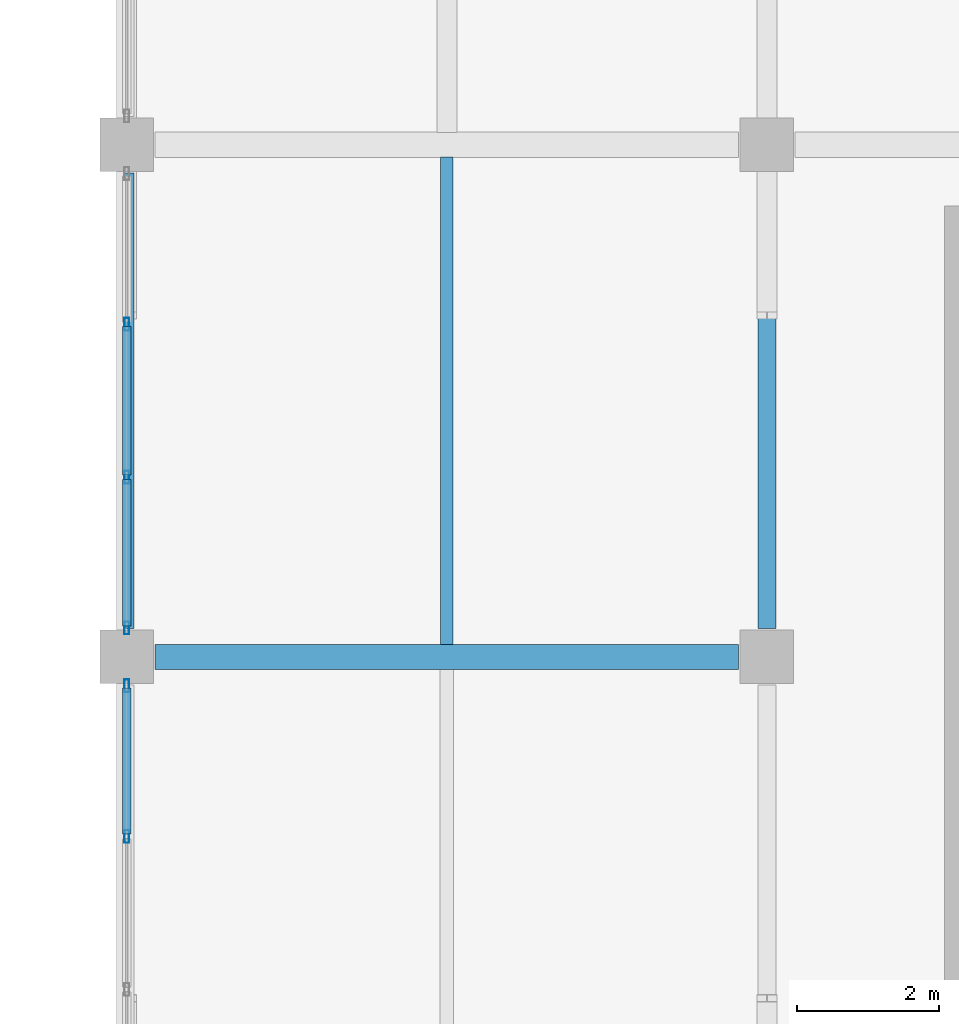
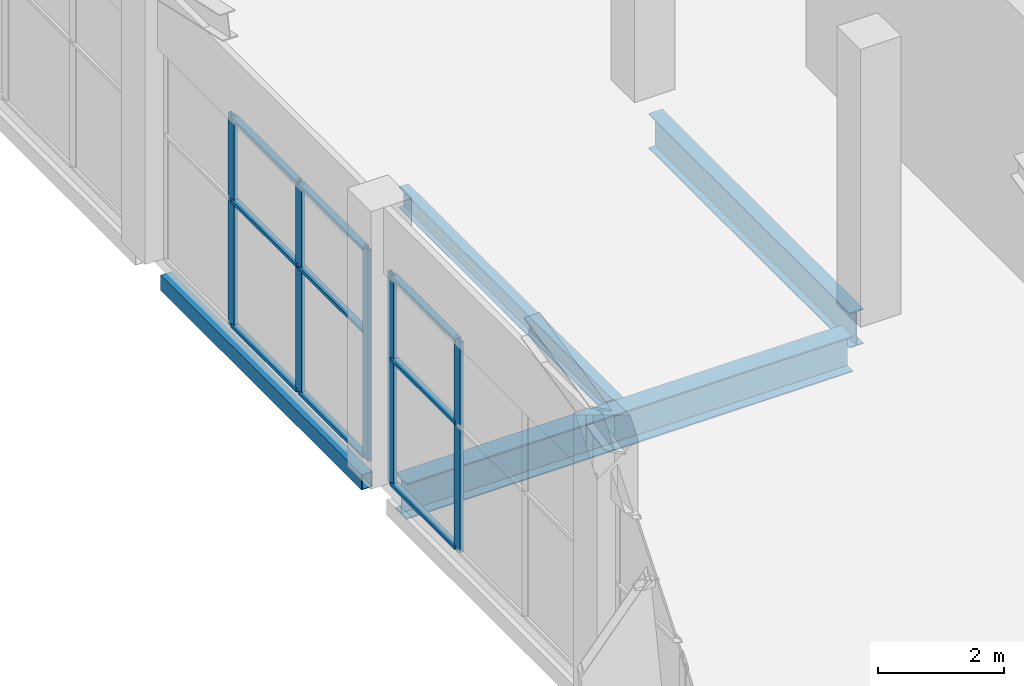
# One storey, part 39 of 189: 14 members, 4 beams, 2 elements without a shape of their own.
"""IFC4 building model written with IfcOpenShell, lengths in metres."""

from ifc_helpers import new_model, si_unit, direction, frame, origin, origin_2d, place, context, subcontext, project, spatial, hollow_rectangle, i_section, extrude, material, layer, layer_set, material_profile, profile_set, type_object, element, aggregate, save


model = new_model("IFC4")

# Units and contexts
model_context = context("Model", 3, precision=1e-05, world=origin(), true_north=direction((0.0, 1.0)))
body_context = subcontext(model_context, "Body", "Model", "MODEL_VIEW")
ifc_project = project(units=[si_unit("LENGTHUNIT", "METRE"), si_unit("AREAUNIT", "SQUARE_METRE"), si_unit("VOLUMEUNIT", "CUBIC_METRE"), si_unit("PLANEANGLEUNIT", "RADIAN"), si_unit("MASSUNIT", "GRAM", prefix="KILO")], contexts=[model_context])

# Site, building, storey
site_placement = place(None, origin())
site = spatial("IfcSite", under=ifc_project, at=site_placement, CompositionType="ELEMENT")
building_placement = place(site_placement, origin())
building = spatial("IfcBuilding", under=site, at=building_placement, Name="Celestram Park Convention Centre", CompositionType="ELEMENT")
storey_placement = place(building_placement, frame((0.0, 0.0, 5.39990234375)))
storey = spatial("IfcBuildingStorey", under=building, at=storey_placement, Name="L01", CompositionType="ELEMENT", Elevation=5.39990234375)

# Curtain wall, members
ifc_material_1 = material(Name="Anodised Aluminium Alloy 6063-T6", Category="aluminium")
ifc_layer = layer(ifc_material_1, 0.179931640625)
ifc_layer_set = layer_set([ifc_layer], Name="Anodised Aluminium Alloy 6063-T6")
curtain_wall_type = type_object("IfcCurtainWallType", Name="ARC-CW-645X410", PredefinedType="NOTDEFINED", material=ifc_layer_set)
curtain_wall_1_placement = place(storey_placement, origin())
curtain_wall_1 = element("IfcCurtainWall", 1, at=curtain_wall_1_placement, inside=storey, type_object=curtain_wall_type, Name="Unitised curtain wall CU-L01-044", PredefinedType="NOTDEFINED")
ifc_material_profile_1 = material_profile(ifc_material_1, hollow_rectangle(XDim=0.06494140625, YDim=0.179931640625, WallThickness=0.00390625, at=origin_2d()), Name="ALU65X180X4")
ifc_profile_set_1 = profile_set([ifc_material_profile_1], Name="Anodised Aluminium Alloy 6063-T6")
member_type_1 = type_object("IfcMemberType", Name="ARC-CWM-150", PredefinedType="MULLION", material=ifc_profile_set_1)
member_1_placement = place(storey_placement, frame((0.0, 119.875732421875, 0.0), z_axis=(0.0, 0.0, 1.0), x_axis=(-1.0, 0.0, 0.0)))
member_1 = element("IfcMember", 2, at=member_1_placement, type_object=member_type_1, Name="CW-64X41 mullion 3", PredefinedType="MULLION", context=body_context, shape_type="SweptSolid", body=[
    extrude(hollow_rectangle(XDim=0.06494140625, YDim=0.179931640625, WallThickness=0.00390625, at=origin_2d()), origin(), (0.0, 0.0, 1.0), 4.10009765625),
])
member_2_placement = place(storey_placement, frame((0.0, 121.994384765625, 0.0), z_axis=(0.0, 0.0, 1.0), x_axis=(-1.0, 0.0, 0.0)))
member_2 = element("IfcMember", 3, at=member_2_placement, type_object=member_type_1, Name="CW-64X41 mullion 4", PredefinedType="MULLION", context=body_context, shape_type="SweptSolid", body=[
    extrude(hollow_rectangle(XDim=0.06494140625, YDim=0.179931640625, WallThickness=0.00390625, at=origin_2d()), origin(), (0.0, 0.0, 1.0), 4.10009765625),
])

curtain_wall_2_placement = place(storey_placement, origin())
curtain_wall_2 = element("IfcCurtainWall", 4, at=curtain_wall_2_placement, inside=storey, type_object=curtain_wall_type, Name="Unitised curtain wall CU-L01-045", PredefinedType="NOTDEFINED")
member_3_placement = place(storey_placement, frame((0.0, 122.805419921875, 0.0), z_axis=(0.0, 0.0, 1.0), x_axis=(-1.0, 0.0, 0.0)))
member_3 = element("IfcMember", 5, at=member_3_placement, type_object=member_type_1, Name="CW-64X41 mullion 1", PredefinedType="MULLION", context=body_context, shape_type="SweptSolid", body=[
    extrude(hollow_rectangle(XDim=0.06494140625, YDim=0.179931640625, WallThickness=0.00390625, at=origin_2d()), origin(), (0.0, 0.0, 1.0), 4.10009765625),
])
member_4_placement = place(storey_placement, frame((0.0, 124.92431640625, 0.0), z_axis=(0.0, 0.0, 1.0), x_axis=(-1.0, 0.0, 0.0)))
member_4 = element("IfcMember", 6, at=member_4_placement, type_object=member_type_1, Name="CW-64X41 mullion 2", PredefinedType="MULLION", context=body_context, shape_type="SweptSolid", body=[
    extrude(hollow_rectangle(XDim=0.06494140625, YDim=0.179931640625, WallThickness=0.00390625, at=origin_2d()), origin(), (0.0, 0.0, 1.0), 4.10009765625),
])
member_5_placement = place(storey_placement, frame((0.0, 127.07568359375, 0.0), z_axis=(0.0, 0.0, 1.0), x_axis=(-1.0, 0.0, 0.0)))
member_5 = element("IfcMember", 7, at=member_5_placement, type_object=member_type_1, Name="CW-64X41 mullion 3", PredefinedType="MULLION", context=body_context, shape_type="SweptSolid", body=[
    extrude(hollow_rectangle(XDim=0.06494140625, YDim=0.179931640625, WallThickness=0.00390625, at=origin_2d()), origin(), (0.0, 0.0, 1.0), 4.10009765625),
])

# Member
ifc_material_profile_2 = material_profile(ifc_material_1, hollow_rectangle(XDim=0.1201171875, YDim=0.06005859375, WallThickness=0.0029296875, at=origin_2d()), Name="ALU120X60X3")
ifc_profile_set_2 = profile_set([ifc_material_profile_2], Name="Anodised Aluminium Alloy 6063-T6")
member_type_2 = type_object("IfcMemberType", Name="ARC-CWT-120", PredefinedType="USERDEFINED", material=ifc_profile_set_2)
member_6_placement = place(storey_placement, frame((0.0, 119.908203125, 0.030029296875), z_axis=(0.0, 1.0, 0.0), x_axis=(-1.0, 0.0, 0.0)))
member_6 = element("IfcMember", 8, at=member_6_placement, type_object=member_type_2, Name="CW-64X41 transom 3.1", ObjectType="TRANSOM", PredefinedType="USERDEFINED", context=body_context, shape_type="SweptSolid", body=[
    extrude(hollow_rectangle(XDim=0.1201171875, YDim=0.06005859375, WallThickness=0.0029296875, at=origin_2d()), origin(), (0.0, 0.0, 1.0), 2.0537109375),
])

member_7_placement = place(storey_placement, frame((0.0, 119.908203125, 2.460205078125), z_axis=(0.0, 1.0, 0.0), x_axis=(-1.0, 0.0, 0.0)))
member_7 = element("IfcMember", 9, at=member_7_placement, type_object=member_type_2, Name="CW-64X41 transom 3.2", ObjectType="TRANSOM", PredefinedType="USERDEFINED", context=body_context, shape_type="SweptSolid", body=[
    extrude(hollow_rectangle(XDim=0.1201171875, YDim=0.06005859375, WallThickness=0.0029296875, at=origin_2d()), origin(), (0.0, 0.0, 1.0), 2.0537109375),
])

member_8_placement = place(storey_placement, frame((0.0, 119.908203125, 4.070068359375), z_axis=(0.0, 1.0, 0.0), x_axis=(-1.0, 0.0, 0.0)))
member_8 = element("IfcMember", 10, at=member_8_placement, type_object=member_type_2, Name="CW-64X41 transom 3.3", ObjectType="TRANSOM", PredefinedType="USERDEFINED", context=body_context, shape_type="SweptSolid", body=[
    extrude(hollow_rectangle(XDim=0.1201171875, YDim=0.06005859375, WallThickness=0.0029296875, at=origin_2d()), origin(), (0.0, 0.0, 1.0), 2.0537109375),
])

aggregate(curtain_wall_1, [member_1, member_2, member_6, member_7, member_8])

member_9_placement = place(storey_placement, frame((0.0, 122.837890625, 0.030029296875), z_axis=(0.0, 1.0, 0.0), x_axis=(-1.0, 0.0, 0.0)))
member_9 = element("IfcMember", 11, at=member_9_placement, type_object=member_type_2, Name="CW-64X41 transom 1.1", ObjectType="TRANSOM", PredefinedType="USERDEFINED", context=body_context, shape_type="SweptSolid", body=[
    extrude(hollow_rectangle(XDim=0.1201171875, YDim=0.06005859375, WallThickness=0.0029296875, at=origin_2d()), origin(), (0.0, 0.0, 1.0), 2.053955078125),
])

member_10_placement = place(storey_placement, frame((0.0, 122.837890625, 2.460205078125), z_axis=(0.0, 1.0, 0.0), x_axis=(-1.0, 0.0, 0.0)))
member_10 = element("IfcMember", 12, at=member_10_placement, type_object=member_type_2, Name="CW-64X41 transom 1.2", ObjectType="TRANSOM", PredefinedType="USERDEFINED", context=body_context, shape_type="SweptSolid", body=[
    extrude(hollow_rectangle(XDim=0.1201171875, YDim=0.06005859375, WallThickness=0.0029296875, at=origin_2d()), origin(), (0.0, 0.0, 1.0), 2.053955078125),
])

member_11_placement = place(storey_placement, frame((0.0, 122.837890625, 4.070068359375), z_axis=(0.0, 1.0, 0.0), x_axis=(-1.0, 0.0, 0.0)))
member_11 = element("IfcMember", 13, at=member_11_placement, type_object=member_type_2, Name="CW-64X41 transom 1.3", ObjectType="TRANSOM", PredefinedType="USERDEFINED", context=body_context, shape_type="SweptSolid", body=[
    extrude(hollow_rectangle(XDim=0.1201171875, YDim=0.06005859375, WallThickness=0.0029296875, at=origin_2d()), origin(), (0.0, 0.0, 1.0), 2.053955078125),
])

member_12_placement = place(storey_placement, frame((0.0, 124.956787109375, 0.030029296875), z_axis=(0.0, 1.0, 0.0), x_axis=(-1.0, 0.0, 0.0)))
member_12 = element("IfcMember", 14, at=member_12_placement, type_object=member_type_2, Name="CW-64X41 transom 2.1", ObjectType="TRANSOM", PredefinedType="USERDEFINED", context=body_context, shape_type="SweptSolid", body=[
    extrude(hollow_rectangle(XDim=0.1201171875, YDim=0.06005859375, WallThickness=0.0029296875, at=origin_2d()), origin(), (0.0, 0.0, 1.0), 2.08642578125),
])

member_13_placement = place(storey_placement, frame((0.0, 124.956787109375, 2.460205078125), z_axis=(0.0, 1.0, 0.0), x_axis=(-1.0, 0.0, 0.0)))
member_13 = element("IfcMember", 15, at=member_13_placement, type_object=member_type_2, Name="CW-64X41 transom 2.2", ObjectType="TRANSOM", PredefinedType="USERDEFINED", context=body_context, shape_type="SweptSolid", body=[
    extrude(hollow_rectangle(XDim=0.1201171875, YDim=0.06005859375, WallThickness=0.0029296875, at=origin_2d()), origin(), (0.0, 0.0, 1.0), 2.08642578125),
])

member_14_placement = place(storey_placement, frame((0.0, 124.956787109375, 4.070068359375), z_axis=(0.0, 1.0, 0.0), x_axis=(-1.0, 0.0, 0.0)))
member_14 = element("IfcMember", 16, at=member_14_placement, type_object=member_type_2, Name="CW-64X41 transom 2.3", ObjectType="TRANSOM", PredefinedType="USERDEFINED", context=body_context, shape_type="SweptSolid", body=[
    extrude(hollow_rectangle(XDim=0.1201171875, YDim=0.06005859375, WallThickness=0.0029296875, at=origin_2d()), origin(), (0.0, 0.0, 1.0), 2.08642578125),
])

aggregate(curtain_wall_2, [member_3, member_4, member_5, member_9, member_10, member_11, member_12, member_13, member_14])

# Beams
ifc_material_2 = material(Name="Steel ASTM A992 Grade 50", Category="steel")
ifc_material_profile_3 = material_profile(ifc_material_2, i_section(OverallWidth=0.35595703125, OverallDepth=0.696044921875, WebThickness=0.015380859375, FlangeThickness=0.02490234375, at=origin_2d()), Name="W27X146")
ifc_profile_set_3 = profile_set([ifc_material_profile_3], Name="Steel ASTM A992 Grade 50")
beam_type_1 = type_object("IfcBeamType", Name="STR-BM-W27X146", PredefinedType="BEAM", material=ifc_profile_set_3)
beam_1_placement = place(storey_placement, frame((0.39794921875, 122.39990234375, -0.6279296875), z_axis=(1.0, 0.0, 0.0), x_axis=(0.0, 1.0, 0.0)))
element("IfcBeam", 17, at=beam_1_placement, inside=storey, type_object=beam_type_1, Name="Primary X-girder BG-L01-0005", PredefinedType="BEAM", context=body_context, shape_type="SweptSolid", body=[
    extrude(i_section(OverallWidth=0.35595703125, OverallDepth=0.696044921875, WebThickness=0.015380859375, FlangeThickness=0.02490234375, at=origin_2d()), origin(), (0.0, 0.0, 1.0), 8.2041015625),
])
ifc_material_profile_4 = material_profile(ifc_material_2, i_section(OverallWidth=0.25390625, OverallDepth=0.68310546875, WebThickness=0.012451171875, FlangeThickness=0.01904296875, at=origin_2d()), Name="W27X94")
ifc_profile_set_4 = profile_set([ifc_material_profile_4], Name="Steel ASTM A992 Grade 50")
beam_type_2 = type_object("IfcBeamType", Name="STR-BM-W27X94", PredefinedType="BEAM", material=ifc_profile_set_4)
beam_2_placement = place(storey_placement, frame((9.0, 122.798095703125, -0.621337890625), z_axis=(0.0, 1.0, 0.0), x_axis=(-1.0, 0.0, 0.0)))
element("IfcBeam", 18, at=beam_2_placement, inside=storey, type_object=beam_type_2, Name="Primary Y-girder BG-L01-0014", PredefinedType="BEAM", context=body_context, shape_type="SweptSolid", body=[
    extrude(i_section(OverallWidth=0.25390625, OverallDepth=0.68310546875, WebThickness=0.012451171875, FlangeThickness=0.01904296875, at=origin_2d()), origin(), (0.0, 0.0, 1.0), 6.40380859375),
])
ifc_material_profile_5 = material_profile(ifc_material_2, i_section(OverallWidth=0.177978515625, OverallDepth=0.406005859375, WebThickness=0.0078125, FlangeThickness=0.0126953125, at=origin_2d()), Name="W16X40")
ifc_profile_set_5 = profile_set([ifc_material_profile_5], Name="Steel ASTM A992 Grade 50")
beam_type_3 = type_object("IfcBeamType", Name="STR-JST-W16X40", PredefinedType="JOIST", material=ifc_profile_set_5)
beam_3_placement = place(storey_placement, frame((4.5, 122.573974609375, -0.48291015625), z_axis=(0.0, 1.0, 0.0), x_axis=(-1.0, 0.0, 0.0)))
element("IfcBeam", 19, at=beam_3_placement, inside=storey, type_object=beam_type_3, Name="Secondary composite joist BG-L01-0547", PredefinedType="JOIST", context=body_context, shape_type="SweptSolid", body=[
    extrude(i_section(OverallWidth=0.177978515625, OverallDepth=0.406005859375, WebThickness=0.0078125, FlangeThickness=0.0126953125, at=origin_2d()), origin(), (0.0, 0.0, 1.0), 6.85205078125),
])
ifc_material_3 = material(Name="Steel ASTM A500 Grade C", Category="steel")
ifc_material_profile_6 = material_profile(ifc_material_3, hollow_rectangle(XDim=0.199951171875, YDim=0.300048828125, WallThickness=0.011962890625, at=origin_2d()), Name="HSS300X200X12")
ifc_profile_set_6 = profile_set([ifc_material_profile_6], Name="Steel ASTM A500 Grade C")
beam_type_4 = type_object("IfcBeamType", Name="STR-SPN-HSS300X200", PredefinedType="SPANDREL", material=ifc_profile_set_6)
beam_4_placement = place(storey_placement, frame((0.0, 122.798095703125, -0.429931640625), z_axis=(0.0, 1.0, 0.0), x_axis=(-1.0, 0.0, 0.0)))
element("IfcBeam", 20, at=beam_4_placement, inside=storey, type_object=beam_type_4, Name="Primary Y-girder BG-L01-0006", PredefinedType="SPANDREL", context=body_context, shape_type="SweptSolid", body=[
    extrude(hollow_rectangle(XDim=0.199951171875, YDim=0.300048828125, WallThickness=0.011962890625, at=origin_2d()), origin(), (0.0, 0.0, 1.0), 6.40380859375),
])

save(model, "model.ifc")
